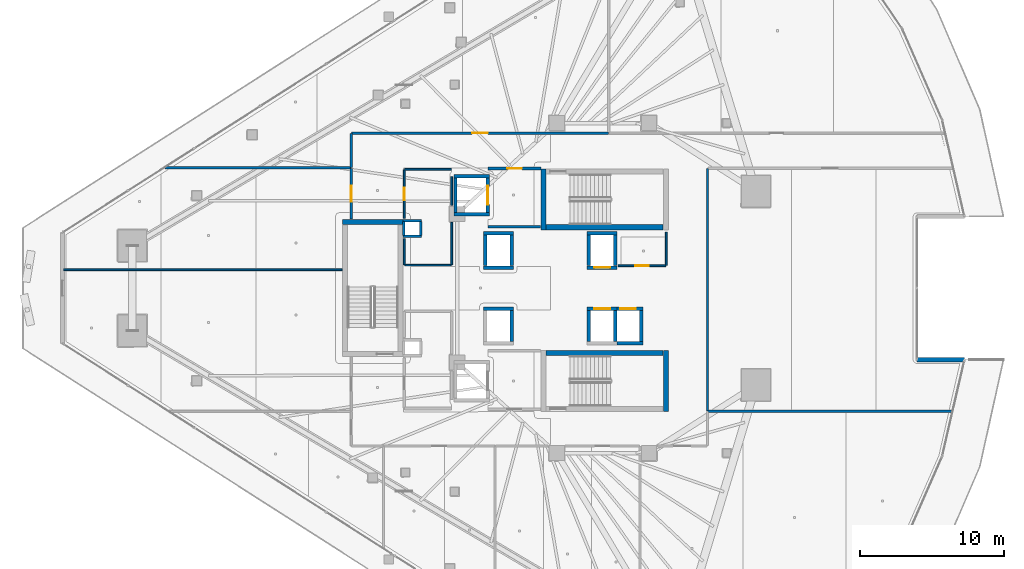
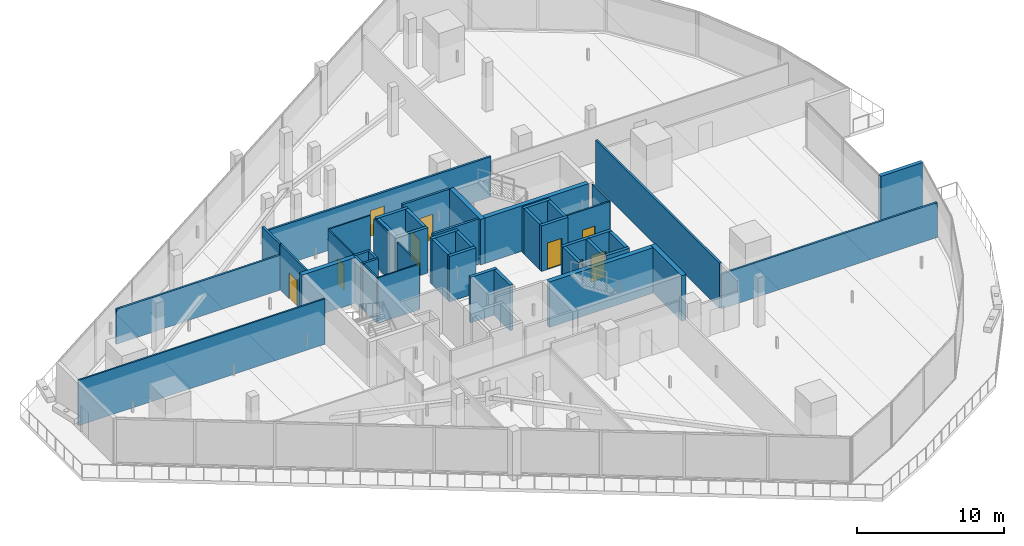
# One storey, part 31 of 45: 47 walls, 9 doors, 9 openings.
"""IFC4 building model written with IfcOpenShell, lengths in metres."""

import ifcopenshell
import ifcopenshell.guid

model = None  # the IFC model being written
_history = None  # IfcOwnerHistory: only IFC2X3 demands one
_inside = {}  # id of a spatial element -> (the spatial element, [elements in it])
_under = {}  # id of a project, library or spatial element -> (it, [spatial elements below it])
_declared = {}  # id of a project -> (the project, [libraries it declares])
_typed = {}  # id of a type object -> (the type object, [elements of that type])
_made_of = {}  # id of a material, layer set ... -> (it, [elements and type objects made of it])


def new_model(schema):
    """Start an empty IFC model of exactly this schema.

    Asked for "IFC4X3", IfcOpenShell would pick the latest addendum, in which some entities
    have other attributes; the version numbers below select the first issue.
    IFC2X3 requires an IfcOwnerHistory on every rooted entity: one is made here for all.
    """
    global model, _history
    if schema == "IFC4X3":
        model = ifcopenshell.file(schema_version=(4, 3, 0, 0))
    else:
        model = ifcopenshell.file(schema=schema)
    _inside.clear()
    _under.clear()
    _declared.clear()
    _typed.clear()
    _made_of.clear()
    _history = None
    if model.schema == "IFC2X3":
        org = make("IfcOrganization", Name="unknown")
        user = make(
            "IfcPersonAndOrganization",
            ThePerson=make("IfcPerson", FamilyName="unknown"),
            TheOrganization=org,
        )
        app = make(
            "IfcApplication",
            ApplicationDeveloper=org,
            Version="unknown",
            ApplicationFullName="unknown",
            ApplicationIdentifier="unknown",
        )
        _history = make(
            "IfcOwnerHistory",
            OwningUser=user,
            OwningApplication=app,
            ChangeAction="ADDED",
            CreationDate=0,
        )
    return model


def make(cls, **values):
    """One entity of the class cls with the attributes given. An attribute that is None is left unset."""
    return model.create_entity(
        cls, **{name: value for name, value in values.items() if value is not None}
    )


def rooted(cls, **values):
    """An entity with a GlobalId (a new one), such as an element, a storey or a relation."""
    return make(cls, GlobalId=ifcopenshell.guid.new(), OwnerHistory=_history, **values)


def si_unit(unit_type, name, prefix=None):
    """IfcSIUnit, for example si_unit("LENGTHUNIT", "METRE", prefix="MILLI")."""
    return make("IfcSIUnit", UnitType=unit_type, Prefix=prefix, Name=name)


def assignment(units):
    """IfcUnitAssignment: the units of a project."""
    return None if units is None else make("IfcUnitAssignment", Units=units)


def point(xyz):
    """IfcCartesianPoint."""
    return None if xyz is None else make("IfcCartesianPoint", Coordinates=xyz)


def direction(xyz):
    """IfcDirection."""
    return None if xyz is None else make("IfcDirection", DirectionRatios=xyz)


def frame(location, z_axis=None, x_axis=None):
    """IfcAxis2Placement3D, a coordinate frame: its origin and axes. An axis left out is left unset."""
    return make(
        "IfcAxis2Placement3D",
        Location=point(location),
        Axis=direction(z_axis),
        RefDirection=direction(x_axis),
    )


def frame_2d(location, x_axis=None):
    """IfcAxis2Placement2D, a coordinate frame in the plane: its origin and x axis."""
    return make(
        "IfcAxis2Placement2D", Location=point(location), RefDirection=direction(x_axis)
    )


def origin():
    """The frame at (0, 0, 0) with its axes left unset."""
    return frame((0.0, 0.0, 0.0))


def place(relative_to, where):
    """IfcLocalPlacement: puts the frame where relative to a parent placement (None: the world)."""
    return make(
        "IfcLocalPlacement", PlacementRelTo=relative_to, RelativePlacement=where
    )


def context(
    kind, dimensions, precision=None, world=None, true_north=None, identifier=None
):
    """IfcGeometricRepresentationContext, for example the 3D "Model" context."""
    return make(
        "IfcGeometricRepresentationContext",
        ContextIdentifier=identifier,
        ContextType=kind,
        CoordinateSpaceDimension=dimensions,
        Precision=precision,
        WorldCoordinateSystem=world,
        TrueNorth=true_north,
    )


def subcontext(parent, identifier, kind, view, scale=None):
    """IfcGeometricRepresentationSubContext, for example "Body" below "Model"."""
    return make(
        "IfcGeometricRepresentationSubContext",
        ContextIdentifier=identifier,
        ContextType=kind,
        ParentContext=parent,
        TargetScale=scale,
        TargetView=view,
    )


def project(units=None, contexts=None):
    """IfcProject with its units and contexts."""
    return rooted(
        "IfcProject",
        Name="project",
        RepresentationContexts=contexts,
        UnitsInContext=assignment(units),
    )


def spatial(cls, under=None, at=None, **own):
    """A site, building, storey or space (cls), placed at a placement, below another one or the project."""
    s = rooted(cls, ObjectPlacement=at, **own)
    if under is not None:
        _under.setdefault(under.id(), (under, []))[1].append(s)
    return s


def profile(cls, at=None, kind="AREA", **sizes):
    """A parametric profile (cls). Its sizes go by their IFC names, for example OverallWidth=200.0."""
    return make(cls, ProfileType=kind, Position=at, **sizes)


def rectangle(**sizes):
    """IfcRectangleProfileDef."""
    return profile("IfcRectangleProfileDef", **sizes)


def extrude(swept, where, along, depth):
    """IfcExtrudedAreaSolid: the profile swept, set in the frame where, extruded along a direction by depth."""
    return make(
        "IfcExtrudedAreaSolid",
        SweptArea=swept,
        Position=where,
        ExtrudedDirection=direction(along),
        Depth=depth,
    )


def shape(context_of_items, identifier, shape_type, items):
    """IfcShapeRepresentation: the items that make up one representation, for example the "Body"."""
    return make(
        "IfcShapeRepresentation",
        ContextOfItems=context_of_items,
        RepresentationIdentifier=identifier,
        RepresentationType=shape_type,
        Items=items,
    )


def material(Name=None, Category=None):
    """IfcMaterial."""
    return make("IfcMaterial", Name=Name, Category=Category)


def layer(
    of_material, thickness, ventilated=None, Name=None, Category=None, Priority=None
):
    """IfcMaterialLayer: one layer of a wall or slab, of a material (None: an air gap)."""
    return make(
        "IfcMaterialLayer",
        Material=of_material,
        LayerThickness=thickness,
        IsVentilated=ventilated,
        Name=Name,
        Category=Category,
        Priority=Priority,
    )


def layer_set(layers, Name=None):
    """IfcMaterialLayerSet."""
    return make("IfcMaterialLayerSet", MaterialLayers=layers, LayerSetName=Name)


def made_of(thing, what):
    """Note that an element or type object is made of a material, layer set ...; save() writes the relation."""
    if what is not None:
        _made_of.setdefault(what.id(), (what, []))[1].append(thing)
    return thing


def type_object(cls, material=None, **own):
    """A type object (cls), such as IfcWallType, which elements share."""
    return made_of(rooted(cls, **own), material)


def element(
    cls,
    number,
    at=None,
    inside=None,
    cuts=None,
    type_object=None,
    material=None,
    context=None,
    identifier="Body",
    shape_type=None,
    held_by="IfcProductDefinitionShape",
    body=None,
    shapes=None,
    **own,
):
    """One element of the class cls, such as IfcWall. Its Tag is "e" and its number.

    at: its placement. inside: the storey or other place that contains it. cuts: it is an
    opening in that element (IfcRelVoidsElement). A single representation is given by context,
    identifier, shape_type and body (its items); several are given by shapes. held_by: the class
    of the entity that holds the representations. save() writes the other relations.
    """
    e = rooted(cls, Tag="e%d" % number, ObjectPlacement=at, **own)
    if body is not None:
        shapes = [shape(context, identifier, shape_type, body)]
    if shapes is not None:
        e.Representation = make(held_by, Representations=shapes)
    if inside is not None:
        _inside.setdefault(inside.id(), (inside, []))[1].append(e)
    if cuts is not None:
        rooted(
            "IfcRelVoidsElement", RelatingBuildingElement=cuts, RelatedOpeningElement=e
        )
    if type_object is not None:
        _typed.setdefault(type_object.id(), (type_object, []))[1].append(e)
    return made_of(e, material)


def fill(opening, filler):
    """IfcRelFillsElement: the door or window that sits in an opening."""
    return rooted(
        "IfcRelFillsElement",
        RelatingOpeningElement=opening,
        RelatedBuildingElement=filler,
    )


def aggregate(whole, parts):
    """IfcRelAggregates: a whole, such as a stair, and the parts it consists of."""
    return rooted("IfcRelAggregates", RelatingObject=whole, RelatedObjects=parts)


def save(model, path):
    """Write the relations noted so far, then the file.

    IfcRelAggregates (storeys below a building ...), IfcRelContainedInSpatialStructure (elements
    in a storey), IfcRelDefinesByType, IfcRelAssociatesMaterial and IfcRelDeclares: one each for
    every whole, place, type object, material and project.
    """
    for whole, parts in _under.values():
        aggregate(whole, parts)
    for where, things in _inside.values():
        rooted(
            "IfcRelContainedInSpatialStructure",
            RelatedElements=things,
            RelatingStructure=where,
        )
    for kind, things in _typed.values():
        rooted("IfcRelDefinesByType", RelatedObjects=things, RelatingType=kind)
    for what, things in _made_of.values():
        rooted("IfcRelAssociatesMaterial", RelatedObjects=things, RelatingMaterial=what)
    for by, libraries in _declared.values():
        rooted("IfcRelDeclares", RelatingContext=by, RelatedDefinitions=libraries)
    model.write(path)


model = new_model("IFC4")

# Units and contexts
model_context = context("Model", 3, precision=1e-05, world=origin(), true_north=direction((0.0, 1.0)))
body_context = subcontext(model_context, "Body", "Model", "MODEL_VIEW")
ifc_project = project(units=[si_unit("LENGTHUNIT", "METRE"), si_unit("AREAUNIT", "SQUARE_METRE"), si_unit("VOLUMEUNIT", "CUBIC_METRE"), si_unit("PLANEANGLEUNIT", "RADIAN"), si_unit("MASSUNIT", "GRAM", prefix="KILO")], contexts=[model_context])

# Site, building, storey
site_placement = place(None, origin())
site = spatial("IfcSite", under=ifc_project, at=site_placement, CompositionType="ELEMENT")
building_placement = place(site_placement, origin())
building = spatial("IfcBuilding", under=site, at=building_placement, Name="Qorvath Tower", CompositionType="ELEMENT")
storey_placement = place(building_placement, frame((0.0, 0.0, 126.0)))
storey = spatial("IfcBuildingStorey", under=building, at=storey_placement, Name="L28", CompositionType="ELEMENT", Elevation=126.0)

# Walls
ifc_material_1 = material(Name="Gypsum shaftliner on steel studs", Category="steel")
ifc_layer_1 = layer(ifc_material_1, 0.179931640625)
ifc_layer_set_1 = layer_set([ifc_layer_1], Name="FW-LOBBY")
wall_type_1 = type_object("IfcWallType", Name="FW-LOBBY", PredefinedType="PARTITIONING", material=ifc_layer_set_1)
for number, where, z_axis, x_axis, name in (
    (1, (-32.989990234375, 3.594970703125, 0.0), (0.0, 0.0, 1.0), (-1.0, 0.0, 0.0), "MEP Riser Shaft Enclosure Wall N-L28-S"),
    (2, (-34.260009765625, 4.675048828125, 0.0), (0.0, 0.0, 1.0), (1.0, 0.0, 0.0), "MEP Riser Shaft Enclosure Wall N-L28-N"),
):
    element("IfcWall", number, at=place(storey_placement, frame(where, z_axis=z_axis, x_axis=x_axis)), inside=storey, type_object=wall_type_1, Name=name, PredefinedType="PARTITIONING", context=body_context, shape_type="SweptSolid", body=[
        extrude(rectangle(XDim=1.27001953125, YDim=0.179931640625, at=frame_2d((0.635009765625, 0.0))), origin(), (0.0, 0.0, 1.0), 3.77001953125),
    ])
for number, where, z_axis, x_axis, name in (
    (3, (-34.205078125, 3.659912109375, 0.0), (0.0, 0.0, 1.0), (0.0, 1.0, 0.0), "MEP Riser Shaft Enclosure Wall N-L28-W"),
    (4, (-33.044921875, 4.610107421875, 0.0), (0.0, 0.0, 1.0), (0.0, -1.0, 0.0), "MEP Riser Shaft Enclosure Wall N-L28-E"),
):
    element("IfcWall", number, at=place(storey_placement, frame(where, z_axis=z_axis, x_axis=x_axis)), inside=storey, type_object=wall_type_1, Name=name, PredefinedType="PARTITIONING", context=body_context, shape_type="SweptSolid", body=[
        extrude(rectangle(XDim=0.9501953125, YDim=0.179931640625, at=frame_2d((0.47509765625, 0.0))), origin(), (0.0, 0.0, 1.0), 3.77001953125),
    ])
wall_1_placement = place(storey_placement, frame((-28.35498046875, 4.25, 0.0), z_axis=(0.0, 0.0, 1.0), x_axis=(1.0, 0.0, 0.0)))
element("IfcWall", 5, at=wall_1_placement, inside=storey, type_object=wall_type_1, Name="Interior Partition IW-T1-L28-001", PredefinedType="PARTITIONING", context=body_context, shape_type="SweptSolid", body=[
    extrude(rectangle(XDim=3.6220703125, YDim=0.179931640625, at=frame_2d((1.81103515625, 0.0))), origin(), (0.0, 0.0, 1.0), 3.77001953125),
])

# Wall, opening, door
wall_2_placement = place(storey_placement, frame((-24.68408203125, 8.300048828125, 0.0), z_axis=(0.0, 0.0, 1.0), x_axis=(-1.0, 0.0, 0.0)))
wall_2 = element("IfcWall", 6, at=wall_2_placement, inside=storey, type_object=wall_type_1, Name="Interior Partition IW-T1-L28-002", PredefinedType="PARTITIONING", context=body_context, shape_type="SweptSolid", body=[
    extrude(rectangle(XDim=3.6708984375, YDim=0.179931640625, at=frame_2d((1.83544921875, 0.0))), origin(), (0.0, 0.0, 1.0), 3.77001953125),
])
opening_1_placement = place(wall_2_placement, frame((1.33544921875, 0.0, 0.0)))
opening_1 = element("IfcOpeningElement", 7, at=opening_1_placement, cuts=wall_2, Name="Opening D-T1-L28-13", PredefinedType="OPENING", context=body_context, shape_type="SweptSolid", body=[
    extrude(rectangle(XDim=1.0, YDim=2.14990234375, at=frame_2d((0.5, 1.074951171875))), frame((0.0, 0.10009765625, 0.0), z_axis=(0.0, -1.0, 0.0), x_axis=(1.0, 0.0, 0.0)), (0.0, 0.0, 1.0), 0.199951171875),
])
ifc_material_2 = material(Name="Painted galvanised hollow metal", Category="steel")
door_type_1 = type_object("IfcDoorType", Name="FD-60", OperationType="NOTDEFINED", PredefinedType="DOOR", material=ifc_material_2)
door_1_placement = place(opening_1_placement, origin())
door_1 = element("IfcDoor", 8, at=door_1_placement, inside=storey, type_object=door_type_1, Name="Lobby Fire Service Elevator North Door D-T1-L28-13", OperationType="SINGLE_SWING_LEFT", OverallHeight=2.14990234375, OverallWidth=1.0, PredefinedType="DOOR", context=body_context, shape_type="SweptSolid", body=[
    extrude(rectangle(XDim=1.0, YDim=2.14990234375, at=frame_2d((0.5, 1.074951171875))), frame((0.0, 0.02490234375, 0.0), z_axis=(0.0, -1.0, 0.0), x_axis=(1.0, 0.0, 0.0)), (0.0, 0.0, 1.0), 0.050048828125),
])
fill(opening_1, door_1)

# Walls
ifc_material_3 = material(Name="Double acoustic gypsum board on steel studs", Category="steel")
ifc_layer_2 = layer(ifc_material_3, 0.159912109375)
ifc_layer_set_2 = layer_set([ifc_layer_2], Name="IW-ACOUSTIC-160")
wall_type_2 = type_object("IfcWallType", Name="IW-ACOUSTIC-160", PredefinedType="PARTITIONING", material=ifc_layer_set_2)
wall_3_placement = place(storey_placement, frame((-50.76611328125, 8.35009765625, 0.0), z_axis=(0.0, 0.0, 1.0), x_axis=(1.0, 0.0, 0.0)))
element("IfcWall", 9, at=wall_3_placement, inside=storey, type_object=wall_type_2, Name="Interior Partition IW-T1-L28-019", PredefinedType="PARTITIONING", context=body_context, shape_type="SweptSolid", body=[
    extrude(rectangle(XDim=12.88330078125, YDim=0.159912109375, at=frame_2d((6.441650390625, 0.0))), origin(), (0.0, 0.0, 1.0), 2.889892578125),
])
wall_4_placement = place(storey_placement, frame((-37.85791015625, 10.733154296875, 0.0), z_axis=(0.0, 0.0, 1.0), x_axis=(0.0, -1.0, 0.0)))
element("IfcWall", 10, at=wall_4_placement, inside=storey, type_object=wall_type_2, Name="Interior Partition IW-T1-L28-020", PredefinedType="PARTITIONING", context=body_context, shape_type="SweptSolid", body=[
    extrude(rectangle(XDim=2.358154296875, YDim=0.159912109375, at=frame_2d((1.17919921875, 0.0))), origin(), (0.0, 0.0, 1.0), 3.77001953125),
])

# Wall, opening, door
wall_5_placement = place(storey_placement, frame((-37.8330078125, 10.758056640625, 0.0), z_axis=(0.0, 0.0, 1.0), x_axis=(1.0, 0.0, 0.0)))
wall_5 = element("IfcWall", 11, at=wall_5_placement, inside=storey, type_object=wall_type_2, Name="Interior Partition IW-T1-L28-021", PredefinedType="PARTITIONING", context=body_context, shape_type="SweptSolid", body=[
    extrude(rectangle(XDim=17.8154296875, YDim=0.159912109375, at=frame_2d((8.90771484375, 0.0))), origin(), (0.0, 0.0, 1.0), 3.333984375),
])
opening_2_placement = place(wall_5_placement, frame((8.357666015625, 0.0, 0.0)))
opening_2 = element("IfcOpeningElement", 12, at=opening_2_placement, cuts=wall_5, Name="Opening D-T1-L28-04", PredefinedType="OPENING", context=body_context, shape_type="SweptSolid", body=[
    extrude(rectangle(XDim=1.10009765625, YDim=2.14990234375, at=frame_2d((0.550048828125, 1.074951171875))), frame((0.0, 0.08984375, 0.0), z_axis=(0.0, -1.0, 0.0), x_axis=(1.0, 0.0, 0.0)), (0.0, 0.0, 1.0), 0.179931640625),
])
ifc_material_4 = material(Name="Anodised aluminium acoustic framed glass", Category="aluminium")
door_type_2 = type_object("IfcDoorType", Name="D-03", OperationType="NOTDEFINED", PredefinedType="DOOR", material=ifc_material_4)
door_2_placement = place(opening_2_placement, origin())
door_2 = element("IfcDoor", 13, at=door_2_placement, inside=storey, type_object=door_type_2, Name="L28-01 Client Services Office Door D-T1-L28-04", OperationType="SINGLE_SWING_RIGHT", OverallHeight=2.14990234375, OverallWidth=1.10009765625, PredefinedType="DOOR", context=body_context, shape_type="SweptSolid", body=[
    extrude(rectangle(XDim=1.10009765625, YDim=2.14990234375, at=frame_2d((0.550048828125, 1.074951171875))), frame((0.0, 0.02490234375, 0.0), z_axis=(0.0, -1.0, 0.0), x_axis=(1.0, 0.0, 0.0)), (0.0, 0.0, 1.0), 0.050048828125),
])
fill(opening_2, door_2)

# Walls
wall_6_placement = place(storey_placement, frame((3.794189453125, -8.534423828125, 0.0), z_axis=(0.0, 0.0, 1.0), x_axis=(-0.999999573173, -0.000923933833, 0.0)))
element("IfcWall", 14, at=wall_6_placement, inside=storey, type_object=wall_type_2, Name="Interior Partition IW-T1-L28-033", PredefinedType="PARTITIONING", context=body_context, shape_type="SweptSolid", body=[
    extrude(rectangle(XDim=16.911376953125, YDim=0.159912109375, at=frame_2d((8.45556640625, 0.0))), origin(), (0.0, 0.0, 1.0), 2.885009765625),
])
wall_7_placement = place(storey_placement, frame((-13.14208984375, 8.287109375, 0.0), z_axis=(0.0, 0.0, 1.0), x_axis=(0.0, -1.0, 0.0)))
element("IfcWall", 15, at=wall_7_placement, inside=storey, type_object=wall_type_2, Name="Interior Partition IW-T1-L28-037", PredefinedType="PARTITIONING", context=body_context, shape_type="SweptSolid", body=[
    extrude(rectangle(XDim=16.80419921875, YDim=0.159912109375, at=frame_2d((8.402099609375, 0.0))), origin(), (0.0, 0.0, 1.0), 3.77001953125),
])

# Wall, opening, door
wall_8_placement = place(storey_placement, frame((-37.85791015625, 4.783203125, 0.0), z_axis=(0.0, 0.0, 1.0), x_axis=(0.0, 1.0, 0.0)))
wall_8 = element("IfcWall", 16, at=wall_8_placement, inside=storey, type_object=wall_type_2, Name="Interior Partition IW-T1-L28-040", PredefinedType="PARTITIONING", context=body_context, shape_type="SweptSolid", body=[
    extrude(rectangle(XDim=3.53369140625, YDim=0.159912109375, at=frame_2d((1.766845703125, 0.0))), origin(), (0.0, 0.0, 1.0), 3.77001953125),
])
opening_3_placement = place(wall_8_placement, frame((1.216796875, 0.0, 0.0)))
opening_3 = element("IfcOpeningElement", 17, at=opening_3_placement, cuts=wall_8, Name="Opening D-T1-L28-12", PredefinedType="OPENING", context=body_context, shape_type="SweptSolid", body=[
    extrude(rectangle(XDim=1.10009765625, YDim=2.14990234375, at=frame_2d((0.550048828125, 1.074951171875))), frame((0.0, 0.08984375, 0.0), z_axis=(0.0, -1.0, 0.0), x_axis=(1.0, 0.0, 0.0)), (0.0, 0.0, 1.0), 0.179931640625),
])
door_3_placement = place(opening_3_placement, origin())
door_3 = element("IfcDoor", 18, at=door_3_placement, inside=storey, type_object=door_type_2, Name="L28-09 Enclosed Conference Suite Door D-T1-L28-12", OperationType="SINGLE_SWING_RIGHT", OverallHeight=2.14990234375, OverallWidth=1.10009765625, PredefinedType="DOOR", context=body_context, shape_type="SweptSolid", body=[
    extrude(rectangle(XDim=1.10009765625, YDim=2.14990234375, at=frame_2d((0.550048828125, 1.074951171875))), frame((0.0, 0.02490234375, 0.0), z_axis=(0.0, -1.0, 0.0), x_axis=(1.0, 0.0, 0.0)), (0.0, 0.0, 1.0), 0.050048828125),
])
fill(opening_3, door_3)

ifc_material_5 = material(Name="Gypsum board on metal studs with mineral wool", Category="gypsum")
ifc_layer_3 = layer(ifc_material_5, 0.125)
ifc_layer_set_3 = layer_set([ifc_layer_3], Name="IW-PART-125")
wall_type_3 = type_object("IfcWallType", Name="IW-PART-125", PredefinedType="PARTITIONING", material=ifc_layer_set_3)
wall_9_placement = place(storey_placement, frame((-19.333740234375, 1.56005859375, 0.0), z_axis=(0.0, 0.0, 1.0), x_axis=(1.0, 0.0, 0.0)))
wall_9 = element("IfcWall", 19, at=wall_9_placement, inside=storey, type_object=wall_type_3, Name="Interior Partition IW-T1-L28-011", PredefinedType="PARTITIONING", context=body_context, shape_type="SweptSolid", body=[
    extrude(rectangle(XDim=3.308837890625, YDim=0.125, at=frame_2d((1.654296875, 0.0))), origin(), (0.0, 0.0, 1.0), 3.77001953125),
])
opening_4_placement = place(wall_9_placement, frame((1.179443359375, 0.0, 0.0)))
opening_4 = element("IfcOpeningElement", 20, at=opening_4_placement, cuts=wall_9, Name="Opening D-T1-L28-02", PredefinedType="OPENING", context=body_context, shape_type="SweptSolid", body=[
    extrude(rectangle(XDim=0.949951171875, YDim=2.14990234375, at=frame_2d((0.47509765625, 1.074951171875))), frame((0.0, 0.072509765625, 0.0), z_axis=(0.0, -1.0, 0.0), x_axis=(1.0, 0.0, 0.0)), (0.0, 0.0, 1.0), 0.14501953125),
])
ifc_material_6 = material(Name="Solid-core American white oak veneer", Category="wood")
door_type_3 = type_object("IfcDoorType", Name="D-01", OperationType="NOTDEFINED", PredefinedType="DOOR", material=ifc_material_6)
door_4_placement = place(opening_4_placement, origin())
door_4 = element("IfcDoor", 21, at=door_4_placement, inside=storey, type_object=door_type_3, Name="L28-RCN North Staff Refreshment Pantry Door D-T1-L28-02", OperationType="SINGLE_SWING_RIGHT", OverallHeight=2.14990234375, OverallWidth=0.949951171875, PredefinedType="DOOR", context=body_context, shape_type="SweptSolid", body=[
    extrude(rectangle(XDim=0.949951171875, YDim=2.14990234375, at=frame_2d((0.47509765625, 1.074951171875))), frame((0.0, 0.02490234375, 0.0), z_axis=(0.0, -1.0, 0.0), x_axis=(1.0, 0.0, 0.0)), (0.0, 0.0, 1.0), 0.050048828125),
])
fill(opening_4, door_4)

# Walls
wall_10_placement = place(storey_placement, frame((-16.0, 1.585205078125, 0.0), z_axis=(0.0, 0.0, 1.0), x_axis=(0.0, 1.0, 0.0)))
element("IfcWall", 22, at=wall_10_placement, inside=storey, type_object=wall_type_3, Name="Interior Partition IW-T1-L28-012", PredefinedType="PARTITIONING", context=body_context, shape_type="SweptSolid", body=[
    extrude(rectangle(XDim=2.30224609375, YDim=0.125, at=frame_2d((1.151123046875, 0.0))), origin(), (0.0, 0.0, 1.0), 3.77001953125),
])
wall_11_placement = place(storey_placement, frame((-38.492919921875, 1.271484375, 0.0), z_axis=(0.0, 0.0, 1.0), x_axis=(-0.999999998722, 5.0556756e-05, 0.0)))
element("IfcWall", 23, at=wall_11_placement, inside=storey, type_object=wall_type_3, Name="Interior Partition IW-T1-L28-039", PredefinedType="PARTITIONING", context=body_context, shape_type="SweptSolid", body=[
    extrude(rectangle(XDim=19.316162109375, YDim=0.125, at=frame_2d((9.658203125, 0.0))), origin(), (0.0, 0.0, 1.0), 3.77001953125),
])
ifc_material_7 = material(Name="Moisture-resistant cement board on metal studs", Category="gypsum")
ifc_layer_4 = layer(ifc_material_7, 0.110107421875)
ifc_layer_set_4 = layer_set([ifc_layer_4], Name="IW-WC-110")
wall_type_4 = type_object("IfcWallType", Name="IW-WC-110", PredefinedType="PARTITIONING", material=ifc_layer_set_4)
wall_12_placement = place(storey_placement, frame((-34.15478515625, 1.60009765625, 0.0), z_axis=(0.0, 0.0, 1.0), x_axis=(1.0, 0.0, 0.0)))
element("IfcWall", 24, at=wall_12_placement, inside=storey, type_object=wall_type_4, Name="Interior Partition IW-T1-L28-005", PredefinedType="PARTITIONING", context=body_context, shape_type="SweptSolid", body=[
    extrude(rectangle(XDim=3.25, YDim=0.110107421875, at=frame_2d((1.625, 0.0))), origin(), (0.0, 0.0, 1.0), 3.77001953125),
])
wall_13_placement = place(storey_placement, frame((-30.8798828125, 1.625, 0.0), z_axis=(0.0, 0.0, 1.0), x_axis=(0.0, 1.0, 0.0)))
element("IfcWall", 25, at=wall_13_placement, inside=storey, type_object=wall_type_4, Name="Interior Partition IW-T1-L28-006", PredefinedType="PARTITIONING", context=body_context, shape_type="SweptSolid", body=[
    extrude(rectangle(XDim=2.93505859375, YDim=0.110107421875, at=frame_2d((1.467529296875, 0.0))), origin(), (0.0, 0.0, 1.0), 3.77001953125),
])
wall_14_placement = place(storey_placement, frame((-30.8798828125, 5.739990234375, 0.0), z_axis=(0.0, 0.0, 1.0), x_axis=(0.0, 1.0, 0.0)))
element("IfcWall", 26, at=wall_14_placement, inside=storey, type_object=wall_type_4, Name="Interior Partition IW-T1-L28-007", PredefinedType="PARTITIONING", context=body_context, shape_type="SweptSolid", body=[
    extrude(rectangle(XDim=2.0029296875, YDim=0.110107421875, at=frame_2d((1.00146484375, 0.0))), origin(), (0.0, 0.0, 1.0), 3.77001953125),
])
wall_15_placement = place(storey_placement, frame((-30.90478515625, 8.25, 0.0), z_axis=(0.0, 0.0, 1.0), x_axis=(-1.0, 0.0, 0.0)))
element("IfcWall", 27, at=wall_15_placement, inside=storey, type_object=wall_type_4, Name="Interior Partition IW-T1-L28-008", PredefinedType="PARTITIONING", context=body_context, shape_type="SweptSolid", body=[
    extrude(rectangle(XDim=3.25, YDim=0.110107421875, at=frame_2d((1.625, 0.0))), origin(), (0.0, 0.0, 1.0), 3.77001953125),
])

# Wall, opening, door
wall_16_placement = place(storey_placement, frame((-34.179931640625, 8.22509765625, 0.0), z_axis=(0.0, 0.0, 1.0), x_axis=(0.0, -1.0, 0.0)))
wall_16 = element("IfcWall", 28, at=wall_16_placement, inside=storey, type_object=wall_type_4, Name="Interior Partition IW-T1-L28-009", PredefinedType="PARTITIONING", context=body_context, shape_type="SweptSolid", body=[
    extrude(rectangle(XDim=3.385009765625, YDim=0.110107421875, at=frame_2d((1.6923828125, 0.0))), origin(), (0.0, 0.0, 1.0), 3.77001953125),
])
opening_5_placement = place(wall_16_placement, frame((1.25244140625, 0.0, 0.0)))
opening_5 = element("IfcOpeningElement", 29, at=opening_5_placement, cuts=wall_16, Name="Opening D-T1-L28-01", PredefinedType="OPENING", context=body_context, shape_type="SweptSolid", body=[
    extrude(rectangle(XDim=0.8798828125, YDim=2.10009765625, at=frame_2d((0.43994140625, 1.050048828125))), frame((0.0, 0.06494140625, 0.0), z_axis=(0.0, -1.0, 0.0), x_axis=(1.0, 0.0, 0.0)), (0.0, 0.0, 1.0), 0.130126953125),
])
ifc_material_8 = material(Name="Solid-core oak with acoustic drop seal", Category="wood")
door_type_4 = type_object("IfcDoorType", Name="D-02", OperationType="NOTDEFINED", PredefinedType="DOOR", material=ifc_material_8)
door_5_placement = place(opening_5_placement, origin())
door_5 = element("IfcDoor", 30, at=door_5_placement, inside=storey, type_object=door_type_4, Name="Accessible WC North L28 Door D-T1-L28-01", OperationType="SINGLE_SWING_LEFT", OverallHeight=2.10009765625, OverallWidth=0.8798828125, PredefinedType="DOOR", context=body_context, shape_type="SweptSolid", body=[
    extrude(rectangle(XDim=0.8798828125, YDim=2.10009765625, at=frame_2d((0.43994140625, 1.050048828125))), frame((0.0, 0.02490234375, 0.0), z_axis=(0.0, -1.0, 0.0), x_axis=(1.0, 0.0, 0.0)), (0.0, 0.0, 1.0), 0.050048828125),
])
fill(opening_5, door_5)

# Walls
wall_17_placement = place(storey_placement, frame((-34.179931640625, 3.429931640625, 0.0), z_axis=(0.0, 0.0, 1.0), x_axis=(0.0, -1.0, 0.0)))
element("IfcWall", 31, at=wall_17_placement, inside=storey, type_object=wall_type_4, Name="Interior Partition IW-T1-L28-010", PredefinedType="PARTITIONING", context=body_context, shape_type="SweptSolid", body=[
    extrude(rectangle(XDim=1.804931640625, YDim=0.110107421875, at=frame_2d((0.90234375, 0.0))), origin(), (0.0, 0.0, 1.0), 3.77001953125),
])
ifc_material_9 = material(Name="Concrete C60/75", Category="concrete")
ifc_layer_5 = layer(ifc_material_9, 0.260009765625)
ifc_layer_set_5 = layer_set([ifc_layer_5], Name="SW-SHAFT")
wall_type_5 = type_object("IfcWallType", Name="SW-SHAFT", PredefinedType="SHEAR", material=ifc_layer_set_5)
for number, where, z_axis, x_axis, name in (
    (32, (-28.260009765625, 5.1298828125, 0.0), (0.0, 0.0, 1.0), (-1.0, 0.0, 0.0), "Hoistway Wall FSAE-1 L28 S"),
    (33, (-30.739990234375, 7.77001953125, 0.0), (0.0, 0.0, 1.0), (1.0, 0.0, 0.0), "Hoistway Wall FSAE-1 L28 N"),
):
    element("IfcWall", number, at=place(storey_placement, frame(where, z_axis=z_axis, x_axis=x_axis)), inside=storey, type_object=wall_type_5, Name=name, PredefinedType="SHEAR", context=body_context, shape_type="SweptSolid", body=[
        extrude(rectangle(XDim=2.47998046875, YDim=0.239990234375, at=frame_2d((1.239990234375, 0.0))), origin(), (0.0, 0.0, 1.0), 3.77001953125),
    ])
wall_18_placement = place(storey_placement, frame((-30.6201171875, 5.261962890625, 0.0), z_axis=(0.0, 0.0, 1.0), x_axis=(0.0, 1.0, 0.0)))
element("IfcWall", 34, at=wall_18_placement, inside=storey, type_object=wall_type_5, Name="Hoistway Wall FSAE-1 L28 W", PredefinedType="SHEAR", context=body_context, shape_type="SweptSolid", body=[
    extrude(rectangle(XDim=2.3759765625, YDim=0.239990234375, at=frame_2d((1.18798828125, 0.0))), origin(), (0.0, 0.0, 1.0), 3.77001953125),
])

# Wall, opening, door
wall_19_placement = place(storey_placement, frame((-28.3798828125, 7.637939453125, 0.0), z_axis=(0.0, 0.0, 1.0), x_axis=(0.0, -1.0, 0.0)))
wall_19 = element("IfcWall", 35, at=wall_19_placement, inside=storey, type_object=wall_type_5, Name="Hoistway Wall FSAE-1 L28 E", PredefinedType="SHEAR", context=body_context, shape_type="SweptSolid", body=[
    extrude(rectangle(XDim=2.3759765625, YDim=0.239990234375, at=frame_2d((1.18798828125, 0.0))), origin(), (0.0, 0.0, 1.0), 3.77001953125),
])
opening_6_placement = place(wall_19_placement, frame((0.537841796875, 0.0, 0.0)))
opening_6 = element("IfcOpeningElement", 36, at=opening_6_placement, cuts=wall_19, Name="Opening LD-FSAE-1-L28", PredefinedType="OPENING", context=body_context, shape_type="SweptSolid", body=[
    extrude(rectangle(XDim=1.300048828125, YDim=2.300048828125, at=frame_2d((0.64990234375, 1.14990234375))), frame((0.0, 0.1298828125, 0.0), z_axis=(0.0, -1.0, 0.0), x_axis=(1.0, 0.0, 0.0)), (0.0, 0.0, 1.0), 0.260009765625),
])
ifc_material_10 = material(Name="Brushed stainless steel AISI 316", Category="steel")
door_type_5 = type_object("IfcDoorType", Name="LD-02", OperationType="NOTDEFINED", PredefinedType="DOOR", material=ifc_material_10)
door_6_placement = place(opening_6_placement, origin())
door_6 = element("IfcDoor", 37, at=door_6_placement, inside=storey, type_object=door_type_5, Name="Elevator Landing Sliding Door LD-FSAE-1-L28", OperationType="DOUBLE_DOOR_SLIDING", OverallHeight=2.300048828125, OverallWidth=1.300048828125, PredefinedType="DOOR", context=body_context, shape_type="SweptSolid", body=[
    extrude(rectangle(XDim=1.300048828125, YDim=2.300048828125, at=frame_2d((0.64990234375, 1.14990234375))), frame((0.0, 0.02490234375, 0.0), z_axis=(0.0, -1.0, 0.0), x_axis=(1.0, 0.0, 0.0)), (0.0, 0.0, 1.0), 0.050048828125),
])
fill(opening_6, door_6)

# Walls
for number, where, z_axis, x_axis, name in (
    (38, (-26.610107421875, 1.429931640625, 0.0), (0.0, 0.0, 1.0), (-1.0, 0.0, 0.0), "Hoistway Wall PS-1 L28 S"),
    (39, (-28.68994140625, 3.820068359375, 0.0), (0.0, 0.0, 1.0), (1.0, 0.0, 0.0), "Hoistway Wall PS-1 L28 N"),
):
    element("IfcWall", number, at=place(storey_placement, frame(where, z_axis=z_axis, x_axis=x_axis)), inside=storey, type_object=wall_type_5, Name=name, PredefinedType="SHEAR", context=body_context, shape_type="SweptSolid", body=[
        extrude(rectangle(XDim=2.079833984375, YDim=0.239990234375, at=frame_2d((1.0400390625, 0.0))), origin(), (0.0, 0.0, 1.0), 3.77001953125),
    ])
for number, where, z_axis, x_axis, name in (
    (40, (-28.570068359375, 1.56201171875, 0.0), (0.0, 0.0, 1.0), (0.0, 1.0, 0.0), "Hoistway Wall PS-1 L28 W"),
    (41, (-26.72998046875, 3.68798828125, 0.0), (0.0, 0.0, 1.0), (0.0, -1.0, 0.0), "Hoistway Wall PS-1 L28 E"),
):
    element("IfcWall", number, at=place(storey_placement, frame(where, z_axis=z_axis, x_axis=x_axis)), inside=storey, type_object=wall_type_5, Name=name, PredefinedType="SHEAR", context=body_context, shape_type="SweptSolid", body=[
        extrude(rectangle(XDim=2.1259765625, YDim=0.239990234375, at=frame_2d((1.06298828125, 0.0))), origin(), (0.0, 0.0, 1.0), 3.77001953125),
    ])

# Wall, opening, door
wall_20_placement = place(storey_placement, frame((-19.409912109375, 1.429931640625, 0.0), z_axis=(0.0, 0.0, 1.0), x_axis=(-1.0, 0.0, 0.0)))
wall_20 = element("IfcWall", 42, at=wall_20_placement, inside=storey, type_object=wall_type_5, Name="Hoistway Wall PM-1 L28 S", PredefinedType="SHEAR", context=body_context, shape_type="SweptSolid", body=[
    extrude(rectangle(XDim=2.080078125, YDim=0.239990234375, at=frame_2d((1.0400390625, 0.0))), origin(), (0.0, 0.0, 1.0), 3.77001953125),
])
opening_7_placement = place(wall_20_placement, frame((0.489990234375, 0.0, 0.0)))
opening_7 = element("IfcOpeningElement", 43, at=opening_7_placement, cuts=wall_20, Name="Opening LD-PM-1-L28", PredefinedType="OPENING", context=body_context, shape_type="SweptSolid", body=[
    extrude(rectangle(XDim=1.10009765625, YDim=2.199951171875, at=frame_2d((0.550048828125, 1.10009765625))), frame((0.0, 0.1298828125, 0.0), z_axis=(0.0, -1.0, 0.0), x_axis=(1.0, 0.0, 0.0)), (0.0, 0.0, 1.0), 0.260009765625),
])
ifc_material_11 = material(Name="Brushed stainless steel AISI 316", Category="steel")
door_type_6 = type_object("IfcDoorType", Name="LD-01", OperationType="NOTDEFINED", PredefinedType="DOOR", material=ifc_material_11)
door_7_placement = place(opening_7_placement, origin())
door_7 = element("IfcDoor", 44, at=door_7_placement, inside=storey, type_object=door_type_6, Name="Elevator Landing Sliding Door LD-PM-1-L28", OperationType="DOUBLE_DOOR_SLIDING", OverallHeight=2.199951171875, OverallWidth=1.10009765625, PredefinedType="DOOR", context=body_context, shape_type="SweptSolid", body=[
    extrude(rectangle(XDim=1.10009765625, YDim=2.199951171875, at=frame_2d((0.550048828125, 1.10009765625))), frame((0.0, 0.02490234375, 0.0), z_axis=(0.0, -1.0, 0.0), x_axis=(1.0, 0.0, 0.0)), (0.0, 0.0, 1.0), 0.050048828125),
])
fill(opening_7, door_7)

# Walls
wall_21_placement = place(storey_placement, frame((-21.489990234375, 3.820068359375, 0.0), z_axis=(0.0, 0.0, 1.0), x_axis=(1.0, 0.0, 0.0)))
element("IfcWall", 45, at=wall_21_placement, inside=storey, type_object=wall_type_5, Name="Hoistway Wall PM-1 L28 N", PredefinedType="SHEAR", context=body_context, shape_type="SweptSolid", body=[
    extrude(rectangle(XDim=2.080078125, YDim=0.239990234375, at=frame_2d((1.0400390625, 0.0))), origin(), (0.0, 0.0, 1.0), 3.77001953125),
])
for number, where, z_axis, x_axis, name in (
    (46, (-21.3701171875, 1.56201171875, 0.0), (0.0, 0.0, 1.0), (0.0, 1.0, 0.0), "Hoistway Wall PM-1 L28 W"),
    (47, (-19.530029296875, 3.68798828125, 0.0), (0.0, 0.0, 1.0), (0.0, -1.0, 0.0), "Hoistway Wall PM-1 L28 E"),
):
    element("IfcWall", number, at=place(storey_placement, frame(where, z_axis=z_axis, x_axis=x_axis)), inside=storey, type_object=wall_type_5, Name=name, PredefinedType="SHEAR", context=body_context, shape_type="SweptSolid", body=[
        extrude(rectangle(XDim=2.1259765625, YDim=0.239990234375, at=frame_2d((1.06298828125, 0.0))), origin(), (0.0, 0.0, 1.0), 3.77001953125),
    ])
wall_22_placement = place(storey_placement, frame((-28.68994140625, -1.429931640625, 0.0), z_axis=(0.0, 0.0, 1.0), x_axis=(1.0, 0.0, 0.0)))
element("IfcWall", 48, at=wall_22_placement, inside=storey, type_object=wall_type_5, Name="Hoistway Wall PS-2 L28 N", PredefinedType="SHEAR", context=body_context, shape_type="SweptSolid", body=[
    extrude(rectangle(XDim=2.079833984375, YDim=0.239990234375, at=frame_2d((1.0400390625, 0.0))), origin(), (0.0, 0.0, 1.0), 3.77001953125),
])
wall_23_placement = place(storey_placement, frame((-26.72998046875, -1.56201171875, 0.0), z_axis=(0.0, 0.0, 1.0), x_axis=(0.0, -1.0, 0.0)))
element("IfcWall", 49, at=wall_23_placement, inside=storey, type_object=wall_type_5, Name="Hoistway Wall PS-2 L28 E", PredefinedType="SHEAR", context=body_context, shape_type="SweptSolid", body=[
    extrude(rectangle(XDim=2.1259765625, YDim=0.239990234375, at=frame_2d((1.06298828125, 0.0))), origin(), (0.0, 0.0, 1.0), 3.77001953125),
])

# Wall, opening, door
wall_24_placement = place(storey_placement, frame((-21.489990234375, -1.429931640625, 0.0), z_axis=(0.0, 0.0, 1.0), x_axis=(1.0, 0.0, 0.0)))
wall_24 = element("IfcWall", 50, at=wall_24_placement, inside=storey, type_object=wall_type_5, Name="Hoistway Wall PM-2 L28 N", PredefinedType="SHEAR", context=body_context, shape_type="SweptSolid", body=[
    extrude(rectangle(XDim=2.080078125, YDim=0.239990234375, at=frame_2d((1.0400390625, 0.0))), origin(), (0.0, 0.0, 1.0), 3.77001953125),
])
opening_8_placement = place(wall_24_placement, frame((0.489990234375, 0.0, 0.0)))
opening_8 = element("IfcOpeningElement", 51, at=opening_8_placement, cuts=wall_24, Name="Opening LD-PM-2-L28", PredefinedType="OPENING", context=body_context, shape_type="SweptSolid", body=[
    extrude(rectangle(XDim=1.10009765625, YDim=2.199951171875, at=frame_2d((0.550048828125, 1.10009765625))), frame((0.0, 0.1298828125, 0.0), z_axis=(0.0, -1.0, 0.0), x_axis=(1.0, 0.0, 0.0)), (0.0, 0.0, 1.0), 0.260009765625),
])
door_8_placement = place(opening_8_placement, origin())
door_8 = element("IfcDoor", 52, at=door_8_placement, inside=storey, type_object=door_type_6, Name="Elevator Landing Sliding Door LD-PM-2-L28", OperationType="DOUBLE_DOOR_SLIDING", OverallHeight=2.199951171875, OverallWidth=1.10009765625, PredefinedType="DOOR", context=body_context, shape_type="SweptSolid", body=[
    extrude(rectangle(XDim=1.10009765625, YDim=2.199951171875, at=frame_2d((0.550048828125, 1.10009765625))), frame((0.0, 0.02490234375, 0.0), z_axis=(0.0, -1.0, 0.0), x_axis=(1.0, 0.0, 0.0)), (0.0, 0.0, 1.0), 0.050048828125),
])
fill(opening_8, door_8)

# Walls
for number, where, z_axis, x_axis, name in (
    (53, (-21.3701171875, -3.68798828125, 0.0), (0.0, 0.0, 1.0), (0.0, 1.0, 0.0), "Hoistway Wall PM-2 L28 W"),
    (54, (-19.530029296875, -1.56201171875, 0.0), (0.0, 0.0, 1.0), (0.0, -1.0, 0.0), "Hoistway Wall PM-2 L28 E"),
):
    element("IfcWall", number, at=place(storey_placement, frame(where, z_axis=z_axis, x_axis=x_axis)), inside=storey, type_object=wall_type_5, Name=name, PredefinedType="SHEAR", context=body_context, shape_type="SweptSolid", body=[
        extrude(rectangle(XDim=2.1259765625, YDim=0.239990234375, at=frame_2d((1.06298828125, 0.0))), origin(), (0.0, 0.0, 1.0), 3.77001953125),
    ])
wall_25_placement = place(storey_placement, frame((-17.610107421875, -3.820068359375, 0.0), z_axis=(0.0, 0.0, 1.0), x_axis=(-1.0, 0.0, 0.0)))
element("IfcWall", 55, at=wall_25_placement, inside=storey, type_object=wall_type_5, Name="Hoistway Wall PM-3 L28 S", PredefinedType="SHEAR", context=body_context, shape_type="SweptSolid", body=[
    extrude(rectangle(XDim=1.7998046875, YDim=0.239990234375, at=frame_2d((0.89990234375, 0.0))), origin(), (0.0, 0.0, 1.0), 3.77001953125),
])

# Wall, opening, door
wall_26_placement = place(storey_placement, frame((-19.409912109375, -1.429931640625, 0.0), z_axis=(0.0, 0.0, 1.0), x_axis=(1.0, 0.0, 0.0)))
wall_26 = element("IfcWall", 56, at=wall_26_placement, inside=storey, type_object=wall_type_5, Name="Hoistway Wall PM-3 L28 N", PredefinedType="SHEAR", context=body_context, shape_type="SweptSolid", body=[
    extrude(rectangle(XDim=1.7998046875, YDim=0.239990234375, at=frame_2d((0.89990234375, 0.0))), origin(), (0.0, 0.0, 1.0), 3.77001953125),
])
opening_9_placement = place(wall_26_placement, frame((0.2099609375, 0.0, 0.0)))
opening_9 = element("IfcOpeningElement", 57, at=opening_9_placement, cuts=wall_26, Name="Opening LD-PM-3-L28", PredefinedType="OPENING", context=body_context, shape_type="SweptSolid", body=[
    extrude(rectangle(XDim=1.10009765625, YDim=2.199951171875, at=frame_2d((0.550048828125, 1.10009765625))), frame((0.0, 0.1298828125, 0.0), z_axis=(0.0, -1.0, 0.0), x_axis=(1.0, 0.0, 0.0)), (0.0, 0.0, 1.0), 0.260009765625),
])
door_9_placement = place(opening_9_placement, origin())
door_9 = element("IfcDoor", 58, at=door_9_placement, inside=storey, type_object=door_type_6, Name="Elevator Landing Sliding Door LD-PM-3-L28", OperationType="DOUBLE_DOOR_SLIDING", OverallHeight=2.199951171875, OverallWidth=1.10009765625, PredefinedType="DOOR", context=body_context, shape_type="SweptSolid", body=[
    extrude(rectangle(XDim=1.10009765625, YDim=2.199951171875, at=frame_2d((0.550048828125, 1.10009765625))), frame((0.0, 0.02490234375, 0.0), z_axis=(0.0, -1.0, 0.0), x_axis=(1.0, 0.0, 0.0)), (0.0, 0.0, 1.0), 0.050048828125),
])
fill(opening_9, door_9)

# Walls
wall_27_placement = place(storey_placement, frame((-17.72998046875, -1.56201171875, 0.0), z_axis=(0.0, 0.0, 1.0), x_axis=(0.0, -1.0, 0.0)))
element("IfcWall", 59, at=wall_27_placement, inside=storey, type_object=wall_type_5, Name="Hoistway Wall PM-3 L28 E", PredefinedType="SHEAR", context=body_context, shape_type="SweptSolid", body=[
    extrude(rectangle(XDim=2.1259765625, YDim=0.239990234375, at=frame_2d((1.06298828125, 0.0))), origin(), (0.0, 0.0, 1.0), 3.77001953125),
])
ifc_material_12 = material(Name="Concrete C60/75", Category="concrete")
ifc_layer_6 = layer(ifc_material_12, 0.35009765625)
ifc_layer_set_6 = layer_set([ifc_layer_6], Name="SW-STAIR")
wall_type_6 = type_object("IfcWallType", Name="SW-STAIR", PredefinedType="SHEAR", material=ifc_layer_set_6)
wall_28_placement = place(storey_placement, frame((-24.52490234375, 8.260009765625, 0.0), z_axis=(0.0, 0.0, 1.0), x_axis=(0.0, -1.0, 0.0)))
element("IfcWall", 60, at=wall_28_placement, inside=storey, type_object=wall_type_6, Name="Stair TS1 Shear Wall L28 NEAR", PredefinedType="SHEAR", context=body_context, shape_type="SweptSolid", body=[
    extrude(rectangle(XDim=4.2099609375, YDim=0.35009765625, at=frame_2d((2.10498046875, 0.0))), origin(), (0.0, 0.0, 1.0), 3.77001953125),
])
wall_29_placement = place(storey_placement, frame((-24.3349609375, 4.22509765625, 0.0), z_axis=(0.0, 0.0, 1.0), x_axis=(1.0, 0.0, 0.0)))
element("IfcWall", 61, at=wall_29_placement, inside=storey, type_object=wall_type_6, Name="Stair TS1 Shear Wall L28 LEFT", PredefinedType="SHEAR", context=body_context, shape_type="SweptSolid", body=[
    extrude(rectangle(XDim=8.119873046875, YDim=0.35009765625, at=frame_2d((4.06005859375, 0.0))), origin(), (0.0, 0.0, 1.0), 3.77001953125),
])
wall_30_placement = place(storey_placement, frame((-16.02490234375, -8.550048828125, 0.0), z_axis=(0.0, 0.0, 1.0), x_axis=(0.0, 1.0, 0.0)))
element("IfcWall", 62, at=wall_30_placement, inside=storey, type_object=wall_type_6, Name="Stair TS2 Shear Wall L28 FAR", PredefinedType="SHEAR", context=body_context, shape_type="SweptSolid", body=[
    extrude(rectangle(XDim=4.2099609375, YDim=0.35009765625, at=frame_2d((2.10498046875, 0.0))), origin(), (0.0, 0.0, 1.0), 3.77001953125),
])
wall_31_placement = place(storey_placement, frame((-16.215087890625, -4.514892578125, 0.0), z_axis=(0.0, 0.0, 1.0), x_axis=(-1.0, 0.0, 0.0)))
element("IfcWall", 63, at=wall_31_placement, inside=storey, type_object=wall_type_6, Name="Stair TS2 Shear Wall L28 RIGHT", PredefinedType="SHEAR", context=body_context, shape_type="SweptSolid", body=[
    extrude(rectangle(XDim=8.119873046875, YDim=0.35009765625, at=frame_2d((4.06005859375, 0.0))), origin(), (0.0, 0.0, 1.0), 3.77001953125),
])
wall_32_placement = place(storey_placement, frame((-34.25, 4.574951171875, 0.0), z_axis=(0.0, 0.0, 1.0), x_axis=(-1.0, 0.0, 0.0)))
element("IfcWall", 64, at=wall_32_placement, inside=storey, type_object=wall_type_6, Name="Stair TS3 Shear Wall L28 FAR", PredefinedType="SHEAR", context=body_context, shape_type="SweptSolid", body=[
    extrude(rectangle(XDim=4.2099609375, YDim=0.35009765625, at=frame_2d((2.10498046875, 0.0))), origin(), (0.0, 0.0, 1.0), 3.77001953125),
])
ifc_material_13 = material(Name="Precast concrete C45/55", Category="concrete")
ifc_layer_7 = layer(ifc_material_13, 0.300048828125)
ifc_layer_set_7 = layer_set([ifc_layer_7], Name="WL-EW-LOG-300")
wall_type_7 = type_object("IfcWallType", Name="WL-EW-LOG-300", PredefinedType="SOLIDWALL", material=ifc_layer_set_7)
wall_33_placement = place(storey_placement, frame((4.698974609375, -4.968017578125, 0.0), z_axis=(0.0, 0.0, 1.0), x_axis=(-1.0, 0.0, 0.0)))
element("IfcWall", 65, at=wall_33_placement, inside=storey, type_object=wall_type_7, Name="Tower Precast Loggia Wall L28-8.1", PredefinedType="SOLIDWALL", context=body_context, shape_type="SweptSolid", body=[
    extrude(rectangle(XDim=3.31201171875, YDim=0.300048828125, at=frame_2d((1.656005859375, 0.0))), origin(), (0.0, 0.0, 1.0), 3.77001953125),
])

save(model, "model.ifc")
